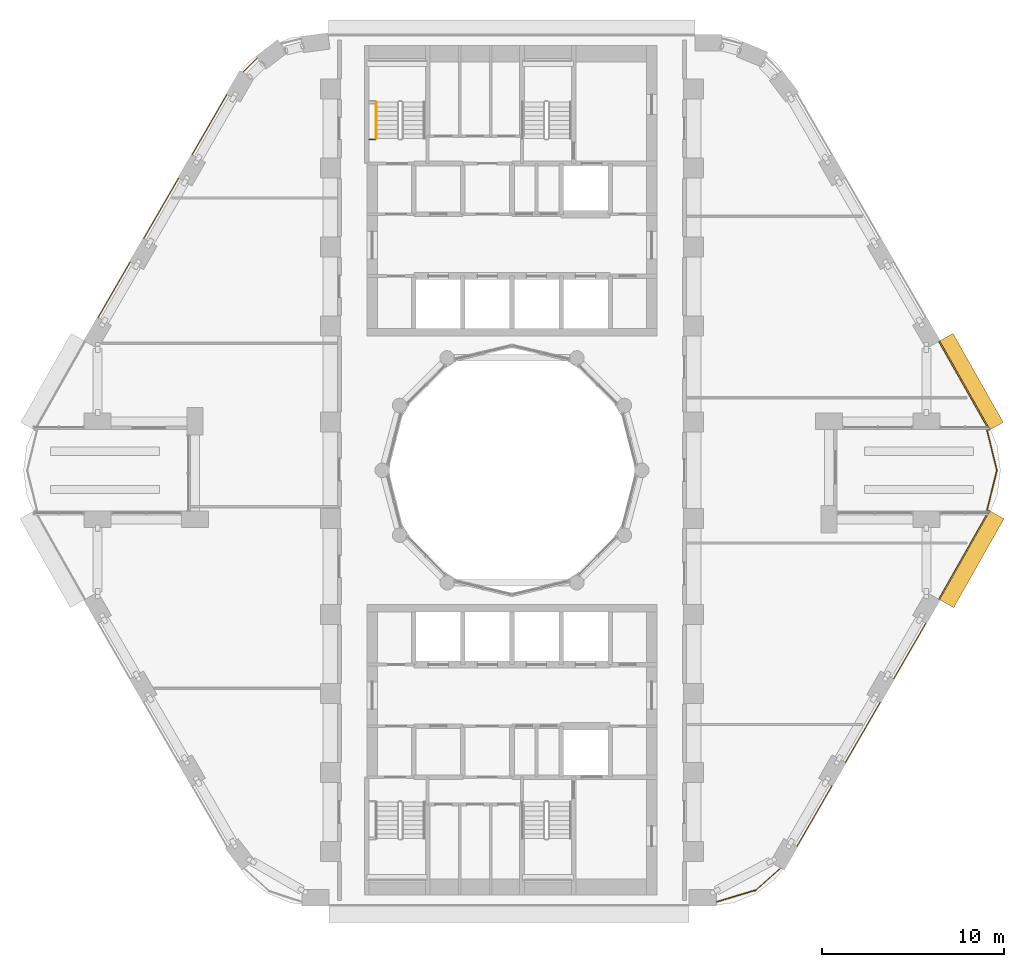
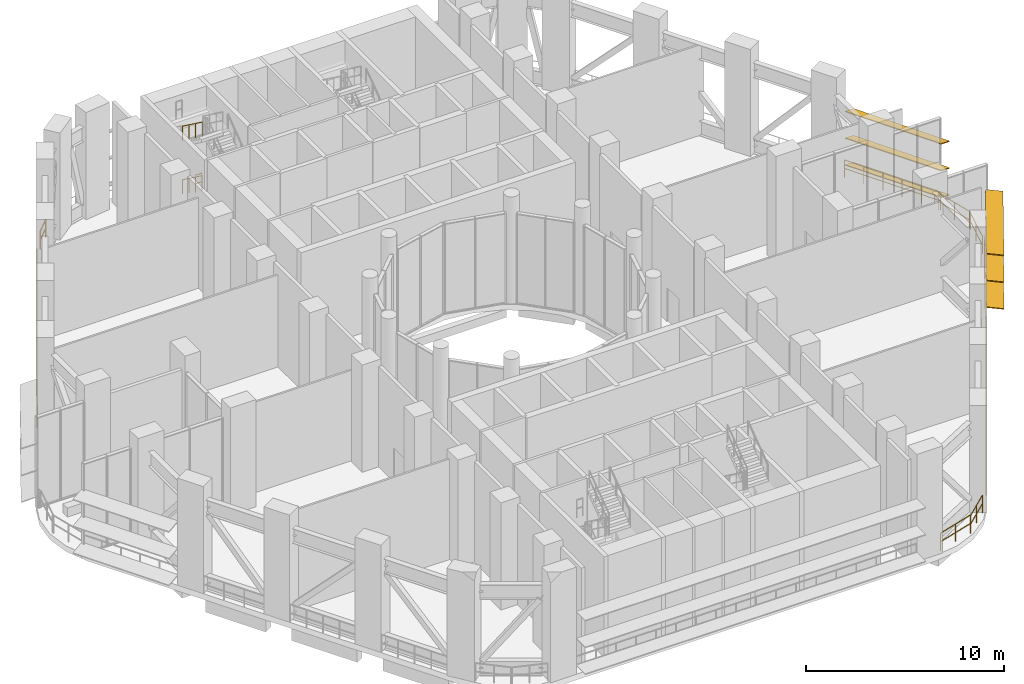
# One storey, part 18 of 20: 16 railings, 6 shading devices.
"""IFC4 building model written with IfcOpenShell, lengths in metres."""

from ifc_helpers import new_model, si_unit, direction, frame, origin, origin_2d, place, context, subcontext, project, spatial, rectangle, circle, extrude, material, material_profile, profile_set, type_object, element, save


model = new_model("IFC4")

# Units and contexts
model_context = context("Model", 3, precision=1e-05, world=origin(), true_north=direction((0.0, 1.0)))
body_context = subcontext(model_context, "Body", "Model", "MODEL_VIEW")
ifc_project = project(units=[si_unit("LENGTHUNIT", "METRE"), si_unit("AREAUNIT", "SQUARE_METRE"), si_unit("VOLUMEUNIT", "CUBIC_METRE"), si_unit("PLANEANGLEUNIT", "RADIAN"), si_unit("MASSUNIT", "GRAM", prefix="KILO")], contexts=[model_context])

# Site, building, storey
site_placement = place(None, origin())
site = spatial("IfcSite", under=ifc_project, at=site_placement, CompositionType="ELEMENT")
building_placement = place(site_placement, origin())
building = spatial("IfcBuilding", under=site, at=building_placement, Name="Nakaniwa Court", CompositionType="ELEMENT")
storey_placement = place(building_placement, frame((0.0, 0.0, 71.10009765625)))
storey = spatial("IfcBuildingStorey", under=building, at=storey_placement, Name="S1", CompositionType="ELEMENT", Elevation=71.10009765625)

# Railings
ifc_material_1 = material(Name="Black powder-coated steel flat bar balustrade S275", Category="steel")
railing_type_1 = type_object("IfcRailingType", Name="Black metal terrace guard 1100", PredefinedType="GUARDRAIL", material=ifc_material_1)
railing_1_placement = place(storey_placement, frame((106.27294921875, 82.20263671875, 0.0)))
element("IfcRailing", 1, at=railing_1_placement, inside=storey, type_object=railing_type_1, Name="S1 refuge band guard 02", PredefinedType="GUARDRAIL", context=body_context, shape_type="SweptSolid", body=[
    extrude(circle(Radius=0.02392578125, at=origin_2d()), frame((0.0, 0.0, 1.076171875), z_axis=(-0.492363204642, 0.870389840655, 0.0), x_axis=(-0.870389840655, -0.492363204642, 0.0)), (0.0, 0.0, 1.0), 5.62646484375),
    extrude(circle(Radius=0.02392578125, at=origin_2d()), frame((0.0, 0.0, 0.550048828125), z_axis=(-0.492363204642, 0.870389840655, 0.0), x_axis=(-0.870389840655, -0.492363204642, 0.0)), (0.0, 0.0, 1.0), 5.62646484375),
    extrude(circle(Radius=0.02099609375, at=origin_2d()), origin(), (0.0, 0.0, 1.0), 1.052001953125),
    extrude(circle(Radius=0.02099609375, at=origin_2d()), frame((-0.553955078125, 0.9794921875, 0.0)), (0.0, 0.0, 1.0), 1.052001953125),
    extrude(circle(Radius=0.02099609375, at=origin_2d()), frame((-1.108154296875, 1.958984375, 0.0)), (0.0, 0.0, 1.0), 1.052001953125),
    extrude(circle(Radius=0.02099609375, at=origin_2d()), frame((-1.662109375, 2.938232421875, 0.0)), (0.0, 0.0, 1.0), 1.052001953125),
    extrude(circle(Radius=0.02099609375, at=origin_2d()), frame((-2.21630859375, 3.917724609375, 0.0)), (0.0, 0.0, 1.0), 1.052001953125),
    extrude(circle(Radius=0.02099609375, at=origin_2d()), frame((-2.770263671875, 4.897216796875, 0.0)), (0.0, 0.0, 1.0), 1.052001953125),
])
railing_2_placement = place(storey_placement, frame((65.97119140625, 102.708251953125, 0.0)))
element("IfcRailing", 2, at=railing_2_placement, inside=storey, type_object=railing_type_1, Name="S1 refuge band guard 10", PredefinedType="GUARDRAIL", context=body_context, shape_type="SweptSolid", body=[
    extrude(circle(Radius=0.02392578125, at=origin_2d()), frame((0.0, 0.0, 1.076171875), z_axis=(-0.709115278087, -0.705092562989, 0.0), x_axis=(0.705092562989, -0.709115278087, 0.0)), (0.0, 0.0, 1.0), 1.092529296875),
    extrude(circle(Radius=0.02392578125, at=origin_2d()), frame((0.0, 0.0, 0.550048828125), z_axis=(-0.709115278087, -0.705092562989, 0.0), x_axis=(0.705092562989, -0.709115278087, 0.0)), (0.0, 0.0, 1.0), 1.092529296875),
    extrude(circle(Radius=0.02099609375, at=origin_2d()), origin(), (0.0, 0.0, 1.0), 1.052001953125),
    extrude(circle(Radius=0.02099609375, at=origin_2d()), frame((-0.774658203125, -0.770263671875, 0.0)), (0.0, 0.0, 1.0), 1.052001953125),
])
railing_3_placement = place(storey_placement, frame((64.298095703125, 100.70361328125, 0.0)))
element("IfcRailing", 3, at=railing_3_placement, inside=storey, type_object=railing_type_1, Name="S1 refuge band guard 11", PredefinedType="GUARDRAIL", context=body_context, shape_type="SweptSolid", body=[
    extrude(circle(Radius=0.02392578125, at=origin_2d()), frame((0.0, 0.0, 1.076171875), z_axis=(-0.499974163209, -0.866040320149, 0.0), x_axis=(0.866040320149, -0.499974163209, 0.0)), (0.0, 0.0, 1.0), 3.834228515625),
    extrude(circle(Radius=0.02392578125, at=origin_2d()), frame((0.0, 0.0, 0.550048828125), z_axis=(-0.499974163209, -0.866040320149, 0.0), x_axis=(0.866040320149, -0.499974163209, 0.0)), (0.0, 0.0, 1.0), 3.834228515625),
    extrude(circle(Radius=0.02099609375, at=origin_2d()), origin(), (0.0, 0.0, 1.0), 1.052001953125),
    extrude(circle(Radius=0.02099609375, at=origin_2d()), frame((-0.479248046875, -0.830078125, 0.0)), (0.0, 0.0, 1.0), 1.052001953125),
    extrude(circle(Radius=0.02099609375, at=origin_2d()), frame((-0.95849609375, -1.66015625, 0.0)), (0.0, 0.0, 1.0), 1.052001953125),
    extrude(circle(Radius=0.02099609375, at=origin_2d()), frame((-1.437744140625, -2.490478515625, 0.0)), (0.0, 0.0, 1.0), 1.052001953125),
    extrude(circle(Radius=0.02099609375, at=origin_2d()), frame((-1.9169921875, -3.320556640625, 0.0)), (0.0, 0.0, 1.0), 1.052001953125),
])
railing_4_placement = place(storey_placement, frame((61.635009765625, 96.091064453125, 0.0)))
element("IfcRailing", 4, at=railing_4_placement, inside=storey, type_object=railing_type_1, Name="S1 refuge band guard 12", PredefinedType="GUARDRAIL", context=body_context, shape_type="SweptSolid", body=[
    extrude(circle(Radius=0.02392578125, at=origin_2d()), frame((0.0, 0.0, 1.076171875), z_axis=(-0.500001735503, -0.866024401789, 0.0), x_axis=(0.866024401789, -0.500001735503, 0.0)), (0.0, 0.0, 1.0), 3.833984375),
    extrude(circle(Radius=0.02392578125, at=origin_2d()), frame((0.0, 0.0, 0.550048828125), z_axis=(-0.500001735503, -0.866024401789, 0.0), x_axis=(0.866024401789, -0.500001735503, 0.0)), (0.0, 0.0, 1.0), 3.833984375),
    extrude(circle(Radius=0.02099609375, at=origin_2d()), origin(), (0.0, 0.0, 1.0), 1.052001953125),
    extrude(circle(Radius=0.02099609375, at=origin_2d()), frame((-0.479248046875, -0.830078125, 0.0)), (0.0, 0.0, 1.0), 1.052001953125),
    extrude(circle(Radius=0.02099609375, at=origin_2d()), frame((-0.95849609375, -1.66015625, 0.0)), (0.0, 0.0, 1.0), 1.052001953125),
    extrude(circle(Radius=0.02099609375, at=origin_2d()), frame((-1.437744140625, -2.490234375, 0.0)), (0.0, 0.0, 1.0), 1.052001953125),
    extrude(circle(Radius=0.02099609375, at=origin_2d()), frame((-1.9169921875, -3.3203125, 0.0)), (0.0, 0.0, 1.0), 1.052001953125),
])
railing_5_placement = place(storey_placement, frame((58.97216796875, 91.478759765625, 0.0)))
element("IfcRailing", 5, at=railing_5_placement, inside=storey, type_object=railing_type_1, Name="S1 refuge band guard 13", PredefinedType="GUARDRAIL", context=body_context, shape_type="SweptSolid", body=[
    extrude(circle(Radius=0.02392578125, at=origin_2d()), frame((0.0, 0.0, 1.076171875), z_axis=(-0.499977402622, -0.866038449993, 0.0), x_axis=(0.866038449993, -0.499977402622, 0.0)), (0.0, 0.0, 1.0), 3.536865234375),
    extrude(circle(Radius=0.02392578125, at=origin_2d()), frame((0.0, 0.0, 0.550048828125), z_axis=(-0.499977402622, -0.866038449993, 0.0), x_axis=(0.866038449993, -0.499977402622, 0.0)), (0.0, 0.0, 1.0), 3.536865234375),
    extrude(circle(Radius=0.02099609375, at=origin_2d()), origin(), (0.0, 0.0, 1.0), 1.052001953125),
    extrude(circle(Radius=0.02099609375, at=origin_2d()), frame((-0.58935546875, -1.02099609375, 0.0)), (0.0, 0.0, 1.0), 1.052001953125),
    extrude(circle(Radius=0.02099609375, at=origin_2d()), frame((-1.178955078125, -2.0419921875, 0.0)), (0.0, 0.0, 1.0), 1.052001953125),
    extrude(circle(Radius=0.02099609375, at=origin_2d()), frame((-1.768310546875, -3.06298828125, 0.0)), (0.0, 0.0, 1.0), 1.052001953125),
])
railing_6_placement = place(storey_placement, frame((91.2822265625, 56.235595703125, 0.0)))
element("IfcRailing", 6, at=railing_6_placement, inside=storey, type_object=railing_type_1, Name="S1 refuge band guard 27", PredefinedType="GUARDRAIL", context=body_context, shape_type="SweptSolid", body=[
    extrude(circle(Radius=0.02392578125, at=origin_2d()), frame((0.0, 0.0, 1.076171875), z_axis=(0.957433631901, 0.288653495569, 0.0), x_axis=(-0.288653495569, 0.957433631901, 0.0)), (0.0, 0.0, 1.0), 2.212646484375),
    extrude(circle(Radius=0.02392578125, at=origin_2d()), frame((0.0, 0.0, 0.550048828125), z_axis=(0.957433631901, 0.288653495569, 0.0), x_axis=(-0.288653495569, 0.957433631901, 0.0)), (0.0, 0.0, 1.0), 2.212646484375),
    extrude(circle(Radius=0.02099609375, at=origin_2d()), origin(), (0.0, 0.0, 1.0), 1.052001953125),
    extrude(circle(Radius=0.02099609375, at=origin_2d()), frame((1.05908203125, 0.3193359375, 0.0)), (0.0, 0.0, 1.0), 1.052001953125),
    extrude(circle(Radius=0.02099609375, at=origin_2d()), frame((2.118408203125, 0.638671875, 0.0)), (0.0, 0.0, 1.0), 1.052001953125),
])
railing_7_placement = place(storey_placement, frame((93.355224609375, 56.807861328125, 0.0)))
element("IfcRailing", 7, at=railing_7_placement, inside=storey, type_object=railing_type_1, Name="S1 refuge band guard 28", PredefinedType="GUARDRAIL", context=body_context, shape_type="SweptSolid", body=[
    extrude(circle(Radius=0.02392578125, at=origin_2d()), frame((0.0, 0.0, 1.076171875), z_axis=(0.746998313847, 0.664825931436, 0.0), x_axis=(-0.664825931436, 0.746998313847, 0.0)), (0.0, 0.0, 1.0), 1.901611328125),
    extrude(circle(Radius=0.02392578125, at=origin_2d()), frame((0.0, 0.0, 0.550048828125), z_axis=(0.746998313847, 0.664825931436, 0.0), x_axis=(-0.664825931436, 0.746998313847, 0.0)), (0.0, 0.0, 1.0), 1.901611328125),
    extrude(circle(Radius=0.02099609375, at=origin_2d()), origin(), (0.0, 0.0, 1.0), 1.052001953125),
    extrude(circle(Radius=0.02099609375, at=origin_2d()), frame((0.710205078125, 0.632080078125, 0.0)), (0.0, 0.0, 1.0), 1.052001953125),
    extrude(circle(Radius=0.02099609375, at=origin_2d()), frame((1.42041015625, 1.26416015625, 0.0)), (0.0, 0.0, 1.0), 1.052001953125),
])
railing_8_placement = place(storey_placement, frame((95.701904296875, 59.29638671875, 0.0)))
element("IfcRailing", 8, at=railing_8_placement, inside=storey, type_object=railing_type_1, Name="S1 refuge band guard 29", PredefinedType="GUARDRAIL", context=body_context, shape_type="SweptSolid", body=[
    extrude(circle(Radius=0.02392578125, at=origin_2d()), frame((0.0, 0.0, 1.076171875), z_axis=(0.499974163209, 0.866040320149, 0.0), x_axis=(-0.866040320149, 0.499974163209, 0.0)), (0.0, 0.0, 1.0), 3.834228515625),
    extrude(circle(Radius=0.02392578125, at=origin_2d()), frame((0.0, 0.0, 0.550048828125), z_axis=(0.499974163209, 0.866040320149, 0.0), x_axis=(-0.866040320149, 0.499974163209, 0.0)), (0.0, 0.0, 1.0), 3.834228515625),
    extrude(circle(Radius=0.02099609375, at=origin_2d()), origin(), (0.0, 0.0, 1.0), 1.052001953125),
    extrude(circle(Radius=0.02099609375, at=origin_2d()), frame((0.479248046875, 0.830078125, 0.0)), (0.0, 0.0, 1.0), 1.052001953125),
    extrude(circle(Radius=0.02099609375, at=origin_2d()), frame((0.95849609375, 1.66015625, 0.0)), (0.0, 0.0, 1.0), 1.052001953125),
    extrude(circle(Radius=0.02099609375, at=origin_2d()), frame((1.437744140625, 2.490478515625, 0.0)), (0.0, 0.0, 1.0), 1.052001953125),
    extrude(circle(Radius=0.02099609375, at=origin_2d()), frame((1.9169921875, 3.320556640625, 0.0)), (0.0, 0.0, 1.0), 1.052001953125),
])
railing_9_placement = place(storey_placement, frame((98.364990234375, 63.908935546875, 0.0)))
element("IfcRailing", 9, at=railing_9_placement, inside=storey, type_object=railing_type_1, Name="S1 refuge band guard 30", PredefinedType="GUARDRAIL", context=body_context, shape_type="SweptSolid", body=[
    extrude(circle(Radius=0.02392578125, at=origin_2d()), frame((0.0, 0.0, 1.076171875), z_axis=(0.500001735503, 0.866024401789, 0.0), x_axis=(-0.866024401789, 0.500001735503, 0.0)), (0.0, 0.0, 1.0), 3.833984375),
    extrude(circle(Radius=0.02392578125, at=origin_2d()), frame((0.0, 0.0, 0.550048828125), z_axis=(0.500001735503, 0.866024401789, 0.0), x_axis=(-0.866024401789, 0.500001735503, 0.0)), (0.0, 0.0, 1.0), 3.833984375),
    extrude(circle(Radius=0.02099609375, at=origin_2d()), origin(), (0.0, 0.0, 1.0), 1.052001953125),
    extrude(circle(Radius=0.02099609375, at=origin_2d()), frame((0.479248046875, 0.830078125, 0.0)), (0.0, 0.0, 1.0), 1.052001953125),
    extrude(circle(Radius=0.02099609375, at=origin_2d()), frame((0.95849609375, 1.66015625, 0.0)), (0.0, 0.0, 1.0), 1.052001953125),
    extrude(circle(Radius=0.02099609375, at=origin_2d()), frame((1.437744140625, 2.490234375, 0.0)), (0.0, 0.0, 1.0), 1.052001953125),
    extrude(circle(Radius=0.02099609375, at=origin_2d()), frame((1.9169921875, 3.3203125, 0.0)), (0.0, 0.0, 1.0), 1.052001953125),
])
railing_10_placement = place(storey_placement, frame((101.02783203125, 68.521240234375, 0.0)))
element("IfcRailing", 10, at=railing_10_placement, inside=storey, type_object=railing_type_1, Name="S1 refuge band guard 31", PredefinedType="GUARDRAIL", context=body_context, shape_type="SweptSolid", body=[
    extrude(circle(Radius=0.02392578125, at=origin_2d()), frame((0.0, 0.0, 1.076171875), z_axis=(0.499977402622, 0.866038449993, 0.0), x_axis=(-0.866038449993, 0.499977402622, 0.0)), (0.0, 0.0, 1.0), 3.536865234375),
    extrude(circle(Radius=0.02392578125, at=origin_2d()), frame((0.0, 0.0, 0.550048828125), z_axis=(0.499977402622, 0.866038449993, 0.0), x_axis=(-0.866038449993, 0.499977402622, 0.0)), (0.0, 0.0, 1.0), 3.536865234375),
    extrude(circle(Radius=0.02099609375, at=origin_2d()), origin(), (0.0, 0.0, 1.0), 1.052001953125),
    extrude(circle(Radius=0.02099609375, at=origin_2d()), frame((0.58935546875, 1.02099609375, 0.0)), (0.0, 0.0, 1.0), 1.052001953125),
    extrude(circle(Radius=0.02099609375, at=origin_2d()), frame((1.178955078125, 2.0419921875, 0.0)), (0.0, 0.0, 1.0), 1.052001953125),
    extrude(circle(Radius=0.02099609375, at=origin_2d()), frame((1.768310546875, 3.06298828125, 0.0)), (0.0, 0.0, 1.0), 1.052001953125),
])
railing_11_placement = place(storey_placement, frame((103.502685546875, 72.900146484375, 0.0)))
element("IfcRailing", 11, at=railing_11_placement, inside=storey, type_object=railing_type_1, Name="S1 refuge band guard 32", PredefinedType="GUARDRAIL", context=body_context, shape_type="SweptSolid", body=[
    extrude(circle(Radius=0.02392578125, at=origin_2d()), frame((0.0, 0.0, 1.076171875), z_axis=(0.492363204642, 0.870389840655, 0.0), x_axis=(-0.870389840655, 0.492363204642, 0.0)), (0.0, 0.0, 1.0), 5.62646484375),
    extrude(circle(Radius=0.02392578125, at=origin_2d()), frame((0.0, 0.0, 0.550048828125), z_axis=(0.492363204642, 0.870389840655, 0.0), x_axis=(-0.870389840655, 0.492363204642, 0.0)), (0.0, 0.0, 1.0), 5.62646484375),
    extrude(circle(Radius=0.02099609375, at=origin_2d()), origin(), (0.0, 0.0, 1.0), 1.052001953125),
    extrude(circle(Radius=0.02099609375, at=origin_2d()), frame((0.553955078125, 0.9794921875, 0.0)), (0.0, 0.0, 1.0), 1.052001953125),
    extrude(circle(Radius=0.02099609375, at=origin_2d()), frame((1.108154296875, 1.958984375, 0.0)), (0.0, 0.0, 1.0), 1.052001953125),
    extrude(circle(Radius=0.02099609375, at=origin_2d()), frame((1.662109375, 2.938232421875, 0.0)), (0.0, 0.0, 1.0), 1.052001953125),
    extrude(circle(Radius=0.02099609375, at=origin_2d()), frame((2.21630859375, 3.917724609375, 0.0)), (0.0, 0.0, 1.0), 1.052001953125),
    extrude(circle(Radius=0.02099609375, at=origin_2d()), frame((2.770263671875, 4.897216796875, 0.0)), (0.0, 0.0, 1.0), 1.052001953125),
])
railing_12_placement = place(storey_placement, frame((106.1640625, 77.79736328125, 0.0)))
element("IfcRailing", 12, at=railing_12_placement, inside=storey, type_object=railing_type_1, Name="S1 sky garden terrace 2 guard 1", PredefinedType="GUARDRAIL", context=body_context, shape_type="SweptSolid", body=[
    extrude(circle(Radius=0.02392578125, at=origin_2d()), frame((0.0, 0.0, 1.076171875), z_axis=(0.238169012128, 0.971223723795, 0.0), x_axis=(-0.971223723795, 0.238169012128, 0.0)), (0.0, 0.0, 1.0), 2.316650390625),
    extrude(circle(Radius=0.02392578125, at=origin_2d()), frame((0.0, 0.0, 0.550048828125), z_axis=(0.238169012128, 0.971223723795, 0.0), x_axis=(-0.971223723795, 0.238169012128, 0.0)), (0.0, 0.0, 1.0), 2.316650390625),
    extrude(circle(Radius=0.02099609375, at=origin_2d()), origin(), (0.0, 0.0, 1.0), 1.052001953125),
    extrude(circle(Radius=0.02099609375, at=origin_2d()), frame((0.27587890625, 1.125, 0.0)), (0.0, 0.0, 1.0), 1.052001953125),
    extrude(circle(Radius=0.02099609375, at=origin_2d()), frame((0.5517578125, 2.25, 0.0)), (0.0, 0.0, 1.0), 1.052001953125),
])
railing_13_placement = place(storey_placement, frame((106.7158203125, 79.95263671875, 0.0)))
element("IfcRailing", 13, at=railing_13_placement, inside=storey, type_object=railing_type_1, Name="S1 sky garden terrace 2 guard 2", PredefinedType="GUARDRAIL", context=body_context, shape_type="SweptSolid", body=[
    extrude(circle(Radius=0.02392578125, at=origin_2d()), frame((0.0, 0.0, 1.076171875), z_axis=(-0.238169012128, 0.971223723795, 0.0), x_axis=(-0.971223723795, -0.238169012128, 0.0)), (0.0, 0.0, 1.0), 2.316650390625),
    extrude(circle(Radius=0.02392578125, at=origin_2d()), frame((0.0, 0.0, 0.550048828125), z_axis=(-0.238169012128, 0.971223723795, 0.0), x_axis=(-0.971223723795, -0.238169012128, 0.0)), (0.0, 0.0, 1.0), 2.316650390625),
    extrude(circle(Radius=0.02099609375, at=origin_2d()), origin(), (0.0, 0.0, 1.0), 1.052001953125),
    extrude(circle(Radius=0.02099609375, at=origin_2d()), frame((-0.27587890625, 1.125, 0.0)), (0.0, 0.0, 1.0), 1.052001953125),
    extrude(circle(Radius=0.02099609375, at=origin_2d()), frame((-0.5517578125, 2.25, 0.0)), (0.0, 0.0, 1.0), 1.052001953125),
])

# Shading devices
ifc_material_2 = material(Name="Perforated charcoal ceramic louvre blade")
ifc_material_profile = material_profile(ifc_material_2, rectangle(XDim=0.89990234375, YDim=0.050048828125, at=origin_2d()), Name="Perforated ceramic louvre blade")
ifc_profile_set = profile_set([ifc_material_profile], Name="Perforated charcoal ceramic louvre blade")
shading_device_type = type_object("IfcShadingDeviceType", Name="Perforated ceramic louvre blade", PredefinedType="JALOUSIE", material=ifc_profile_set)
for number, where, z_axis, x_axis, name in (
    (14, (106.68701171875, 82.436767578125, 0.5498046875), (-0.492363204642, 0.870389840655, 0.0), (-0.804715474874, -0.455212447948, 0.38107037635), "S1 perforated ceramic louvre blade s02 1"),
    (15, (106.68701171875, 82.436767578125, 2.199951171875), (-0.492363204642, 0.870389840655, 0.0), (-0.804715474874, -0.455212447948, 0.38107037635), "S1 perforated ceramic louvre blade s02 2"),
    (16, (106.68701171875, 82.436767578125, 3.849853515625), (-0.492363204642, 0.870389840655, 0.0), (-0.804715474874, -0.455212447948, 0.38107037635), "S1 perforated ceramic louvre blade s02 3"),
    (17, (103.9375, 72.654296875, 0.5498046875), (0.492363204642, 0.870389840655, 0.0), (-0.862743936134, 0.488038059889, 0.132256390257), "S1 perforated ceramic louvre blade s32 1"),
    (18, (103.9375, 72.654296875, 2.199951171875), (0.492363204642, 0.870389840655, 0.0), (-0.862743936134, 0.488038059889, 0.132256390257), "S1 perforated ceramic louvre blade s32 2"),
    (19, (103.9375, 72.654296875, 3.849853515625), (0.492363204642, 0.870389840655, 0.0), (-0.862743936134, 0.488038059889, 0.132256390257), "S1 perforated ceramic louvre blade s32 3"),
):
    element("IfcShadingDevice", number, at=place(storey_placement, frame(where, z_axis=z_axis, x_axis=x_axis)), inside=storey, type_object=shading_device_type, Name=name, PredefinedType="JALOUSIE", context=body_context, shape_type="SweptSolid", body=[
        extrude(rectangle(XDim=0.89990234375, YDim=0.050048828125, at=origin_2d()), origin(), (0.0, 0.0, 1.0), 5.62646484375),
    ])

# Railings
ifc_material_3 = material(Name="Black powder coated steel guard", Category="steel")
railing_type_2 = type_object("IfcRailingType", Name="Stair guard 1100", PredefinedType="GUARDRAIL", material=ifc_material_3)
railing_14_placement = place(storey_placement, frame((72.125, 98.22509765625, 3.2998046875)))
element("IfcRailing", 20, at=railing_14_placement, inside=storey, type_object=railing_type_2, Name="S1 ST1 landing side guard 2W", PredefinedType="GUARDRAIL", context=body_context, shape_type="SweptSolid", body=[
    extrude(circle(Radius=0.02392578125, at=origin_2d()), frame((0.0, 0.0, 1.076171875), z_axis=(1.0, 0.0, 0.0), x_axis=(0.0, 1.0, 0.0)), (0.0, 0.0, 1.0), 0.35009765625),
    extrude(circle(Radius=0.02392578125, at=origin_2d()), frame((0.0, 0.0, 0.550048828125), z_axis=(1.0, 0.0, 0.0), x_axis=(0.0, 1.0, 0.0)), (0.0, 0.0, 1.0), 0.35009765625),
    extrude(circle(Radius=0.02099609375, at=origin_2d()), origin(), (0.0, 0.0, 1.0), 1.052001953125),
    extrude(circle(Radius=0.02099609375, at=origin_2d()), frame((0.35009765625, 0.0, 0.0)), (0.0, 0.0, 1.0), 1.052001953125),
])
ifc_material_4 = material(Name="Black powder coated steel handrail", Category="steel")
railing_type_3 = type_object("IfcRailingType", Name="Stair handrail 900", PredefinedType="HANDRAIL", material=ifc_material_4)
for number, where, name in (
    (21, (72.52490234375, 100.27490234375, 1.833251953125), "S1 ST1 stair handrail 2"),
    (22, (72.52490234375, 100.27490234375, 5.13330078125), "S1 ST1 stair handrail 4"),
):
    element("IfcRailing", number, at=place(storey_placement, frame(where)), inside=storey, type_object=railing_type_3, Name=name, PredefinedType="HANDRAIL", context=body_context, shape_type="SweptSolid", body=[
        extrude(circle(Radius=0.02392578125, at=origin_2d()), frame((0.0, 0.0, 0.8759765625), z_axis=(0.0, -0.806426902644, 0.591333789573), x_axis=(1.0, 0.0, 0.0)), (0.0, 0.0, 1.0), 2.47998046875),
        extrude(circle(Radius=0.02099609375, at=origin_2d()), origin(), (0.0, 0.0, 1.0), 0.851806640625),
        extrude(circle(Radius=0.02099609375, at=origin_2d()), frame((0.0, -0.666748046875, 0.48876953125)), (0.0, 0.0, 1.0), 0.851806640625),
        extrude(circle(Radius=0.02099609375, at=origin_2d()), frame((0.0, -1.333251953125, 0.977783203125)), (0.0, 0.0, 1.0), 0.851806640625),
        extrude(circle(Radius=0.02099609375, at=origin_2d()), frame((0.0, -2.0, 1.466552734375)), (0.0, 0.0, 1.0), 0.851806640625),
    ])

save(model, "model.ifc")
